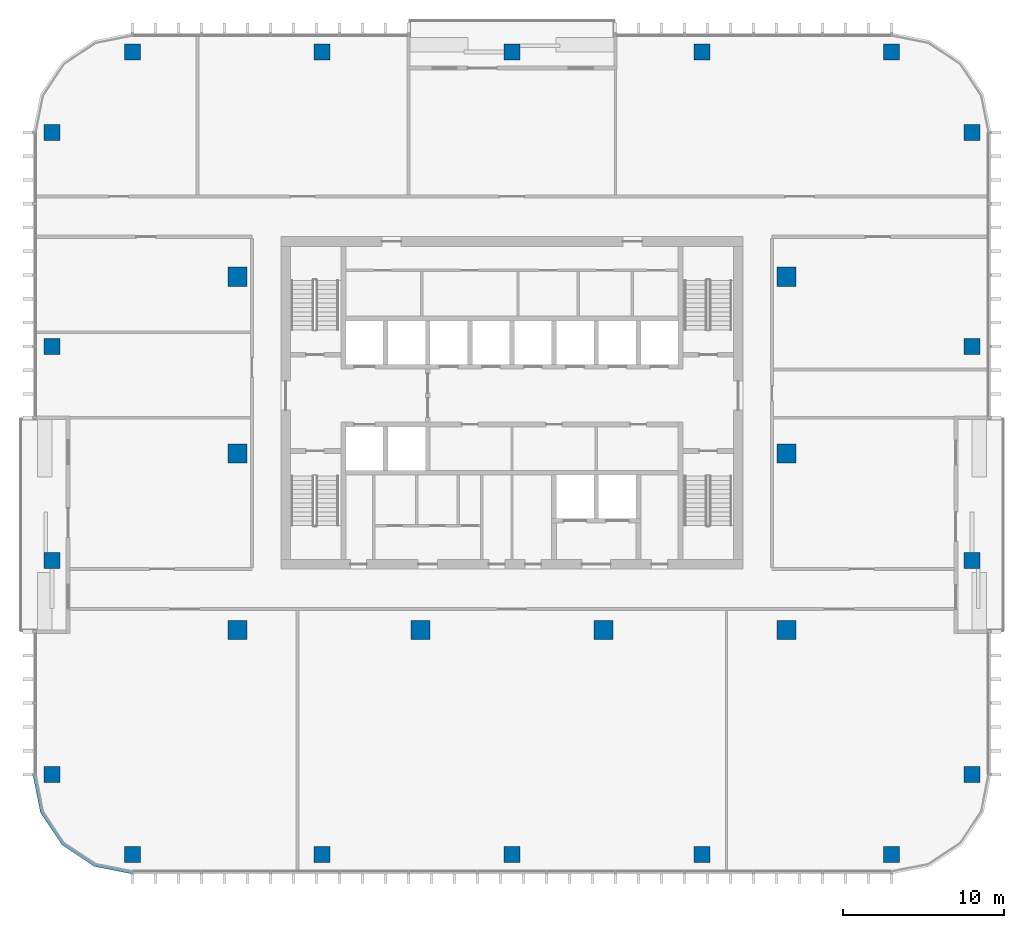
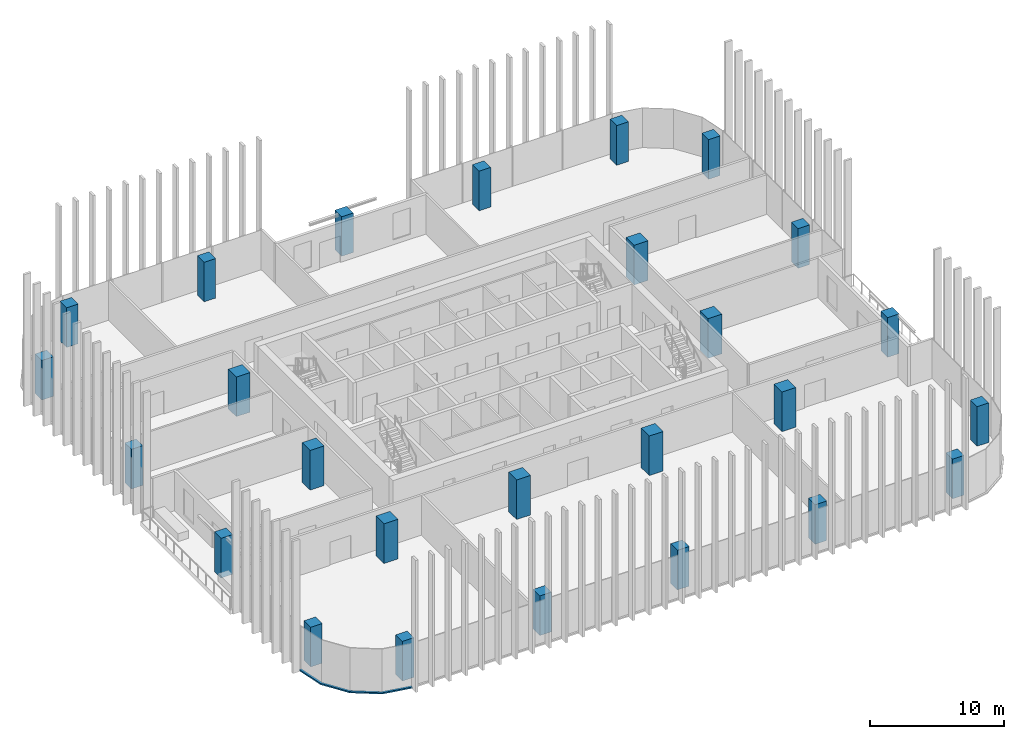
# One storey, part 1 of 16: 26 columns, 1 member, 1 element without a shape of its own.
"""IFC4 building model written with IfcOpenShell, lengths in metres."""

from ifc_helpers import new_model, si_unit, direction, frame, origin, origin_2d, place, context, subcontext, project, spatial, polyline, rectangle, outline, extrude, material, material_profile, profile_set, type_object, element, aggregate, save


model = new_model("IFC4")

# Units and contexts
model_context = context("Model", 3, precision=1e-05, world=origin(), true_north=direction((0.0, 1.0)))
body_context = subcontext(model_context, "Body", "Model", "MODEL_VIEW")
ifc_project = project(units=[si_unit("LENGTHUNIT", "METRE"), si_unit("AREAUNIT", "SQUARE_METRE"), si_unit("VOLUMEUNIT", "CUBIC_METRE"), si_unit("PLANEANGLEUNIT", "RADIAN"), si_unit("MASSUNIT", "GRAM", prefix="KILO")], contexts=[model_context])

# Site, building, storey
site_placement = place(None, origin())
site = spatial("IfcSite", under=ifc_project, at=site_placement, CompositionType="ELEMENT")
building_placement = place(site_placement, origin())
building = spatial("IfcBuilding", under=site, at=building_placement, Name="Mopane Tessera Tower", CompositionType="ELEMENT")
storey_placement = place(building_placement, frame((0.0, 0.0, 267.39990234375)))
storey = spatial("IfcBuildingStorey", under=building, at=storey_placement, Name="L57", CompositionType="ELEMENT", Elevation=267.39990234375)

# Columns
ifc_material_1 = material(Name="Concrete C40/50", Category="concrete")
ifc_material_profile_1 = material_profile(ifc_material_1, rectangle(XDim=1.199951171875, YDim=1.199951171875, at=origin_2d()))
ifc_profile_set_1 = profile_set([ifc_material_profile_1], Name="Concrete C40/50")
column_type_1 = type_object("IfcColumnType", Name="Interior column 1200 x 1200 C40/50", PredefinedType="COLUMN", material=ifc_profile_set_1)
for number, where, z_axis, x_axis, name in (
    (1, (-17.10009765625, -11.0, 0.0), (0.0, 0.0, 1.0), (1.0, 0.0, 0.0), "Interior column I1A L57"),
    (2, (-17.10009765625, 0.0, 0.0), (0.0, 0.0, 1.0), (1.0, 0.0, 0.0), "Interior column I1B L57"),
    (3, (-17.10009765625, 11.0, 0.0), (0.0, 0.0, 1.0), (1.0, 0.0, 0.0), "Interior column I1C L57"),
    (4, (-5.699951171875, -11.0, 0.0), (0.0, 0.0, 1.0), (1.0, 0.0, 0.0), "Interior column I2A L57"),
    (5, (5.699951171875, -11.0, 0.0), (0.0, 0.0, 1.0), (1.0, 0.0, 0.0), "Interior column I3A L57"),
    (6, (17.10009765625, -11.0, 0.0), (0.0, 0.0, 1.0), (1.0, 0.0, 0.0), "Interior column I4A L57"),
    (7, (17.10009765625, 0.0, 0.0), (0.0, 0.0, 1.0), (1.0, 0.0, 0.0), "Interior column I4B L57"),
    (8, (17.10009765625, 11.0, 0.0), (0.0, 0.0, 1.0), (1.0, 0.0, 0.0), "Interior column I4C L57"),
):
    element("IfcColumn", number, at=place(storey_placement, frame(where, z_axis=z_axis, x_axis=x_axis)), inside=storey, type_object=column_type_1, Name=name, PredefinedType="COLUMN", context=body_context, shape_type="SweptSolid", body=[
        extrude(rectangle(XDim=1.199951171875, YDim=1.199951171875, at=origin_2d()), origin(), (0.0, 0.0, 1.0), 3.60009765625),
    ])
ifc_material_2 = material(Name="Concrete C40/50", Category="concrete")
ifc_material_profile_2 = material_profile(ifc_material_2, rectangle(XDim=1.0, YDim=1.0, at=origin_2d()))
ifc_profile_set_2 = profile_set([ifc_material_profile_2], Name="Concrete C40/50")
column_type_2 = type_object("IfcColumnType", Name="Ring column 1000 x 1000 C40/50", PredefinedType="COLUMN", material=ifc_profile_set_2)
for number, where, z_axis, x_axis, name in (
    (9, (-23.64990234375, -25.0, 0.0), (0.0, 0.0, 1.0), (1.0, 0.0, 0.0), "Ring column S0 L57"),
    (10, (-11.824951171875, -25.0, 0.0), (0.0, 0.0, 1.0), (1.0, 0.0, 0.0), "Ring column S1 L57"),
    (11, (0.0, -25.0, 0.0), (0.0, 0.0, 1.0), (1.0, 0.0, 0.0), "Ring column S2 L57"),
    (12, (11.824951171875, -25.0, 0.0), (0.0, 0.0, 1.0), (1.0, 0.0, 0.0), "Ring column S3 L57"),
    (13, (23.64990234375, -25.0, 0.0), (0.0, 0.0, 1.0), (1.0, 0.0, 0.0), "Ring column S4 L57"),
    (14, (28.64990234375, -20.0, 0.0), (0.0, 0.0, 1.0), (1.0, 0.0, 0.0), "Ring column E0 L57"),
    (15, (28.64990234375, -6.666748046875, 0.0), (0.0, 0.0, 1.0), (1.0, 0.0, 0.0), "Ring column E1 L57"),
    (16, (28.64990234375, 6.666748046875, 0.0), (0.0, 0.0, 1.0), (1.0, 0.0, 0.0), "Ring column E2 L57"),
    (17, (28.64990234375, 20.0, 0.0), (0.0, 0.0, 1.0), (1.0, 0.0, 0.0), "Ring column E3 L57"),
    (18, (23.64990234375, 25.0, 0.0), (0.0, 0.0, 1.0), (1.0, 0.0, 0.0), "Ring column N0 L57"),
    (19, (11.824951171875, 25.0, 0.0), (0.0, 0.0, 1.0), (1.0, 0.0, 0.0), "Ring column N1 L57"),
    (20, (0.0, 25.0, 0.0), (0.0, 0.0, 1.0), (1.0, 0.0, 0.0), "Ring column N2 L57"),
    (21, (-11.824951171875, 25.0, 0.0), (0.0, 0.0, 1.0), (1.0, 0.0, 0.0), "Ring column N3 L57"),
    (22, (-23.64990234375, 25.0, 0.0), (0.0, 0.0, 1.0), (1.0, 0.0, 0.0), "Ring column N4 L57"),
    (23, (-28.64990234375, 20.0, 0.0), (0.0, 0.0, 1.0), (1.0, 0.0, 0.0), "Ring column W0 L57"),
    (24, (-28.64990234375, 6.666748046875, 0.0), (0.0, 0.0, 1.0), (1.0, 0.0, 0.0), "Ring column W1 L57"),
    (25, (-28.64990234375, -6.666748046875, 0.0), (0.0, 0.0, 1.0), (1.0, 0.0, 0.0), "Ring column W2 L57"),
    (26, (-28.64990234375, -20.0, 0.0), (0.0, 0.0, 1.0), (1.0, 0.0, 0.0), "Ring column W3 L57"),
):
    element("IfcColumn", number, at=place(storey_placement, frame(where, z_axis=z_axis, x_axis=x_axis)), inside=storey, type_object=column_type_2, Name=name, PredefinedType="COLUMN", context=body_context, shape_type="SweptSolid", body=[
        extrude(rectangle(XDim=1.0, YDim=1.0, at=origin_2d()), origin(), (0.0, 0.0, 1.0), 3.60009765625),
    ])

# Curtain wall, member
ifc_material_3 = material(Name="Aluminium frame", Category="aluminium")
curtain_wall_type = type_object("IfcCurtainWallType", Name="Unitised curtain wall", PredefinedType="NOTDEFINED", material=ifc_material_3)
curtain_wall_placement = place(storey_placement, origin())
curtain_wall = element("IfcCurtainWall", 27, at=curtain_wall_placement, inside=storey, type_object=curtain_wall_type, Name="e:cw:L57:CW", PredefinedType="NOTDEFINED")
ifc_material_4 = material(Name="Aluminium frame", Category="aluminium")
ifc_material_profile_3 = material_profile(ifc_material_4, rectangle(XDim=0.199951171875, YDim=0.1201171875, at=origin_2d()))
ifc_profile_set_3 = profile_set([ifc_material_profile_3], Name="Aluminium frame")
member_type = type_object("IfcMemberType", Name="Aluminium transom 200 x 120", PredefinedType="USERDEFINED", material=ifc_profile_set_3)
member_placement = place(storey_placement, frame((0.0, 0.0, -0.39990234375)))
member = element("IfcMember", 28, at=member_placement, type_object=member_type, Name="e:cw:L57:CW:tr", ObjectType="TRANSOM", PredefinedType="USERDEFINED", context=body_context, shape_type="SweptSolid", body=[
    extrude(outline(polyline([(-29.64990234375, -20.0), (-29.193359375, -22.296142578125), (-27.892578125, -24.24267578125), (-25.946044921875, -25.543212890625), (-23.64990234375, -26.0), (-23.64990234375, -26.199951171875), (-26.022705078125, -25.72802734375), (-28.0341796875, -24.384033203125), (-29.378173828125, -22.37255859375), (-29.85009765625, -20.0), (-29.64990234375, -20.0)])), origin(), (0.0, 0.0, 1.0), 0.1201171875),
])
aggregate(curtain_wall, [member])

save(model, "model.ifc")
